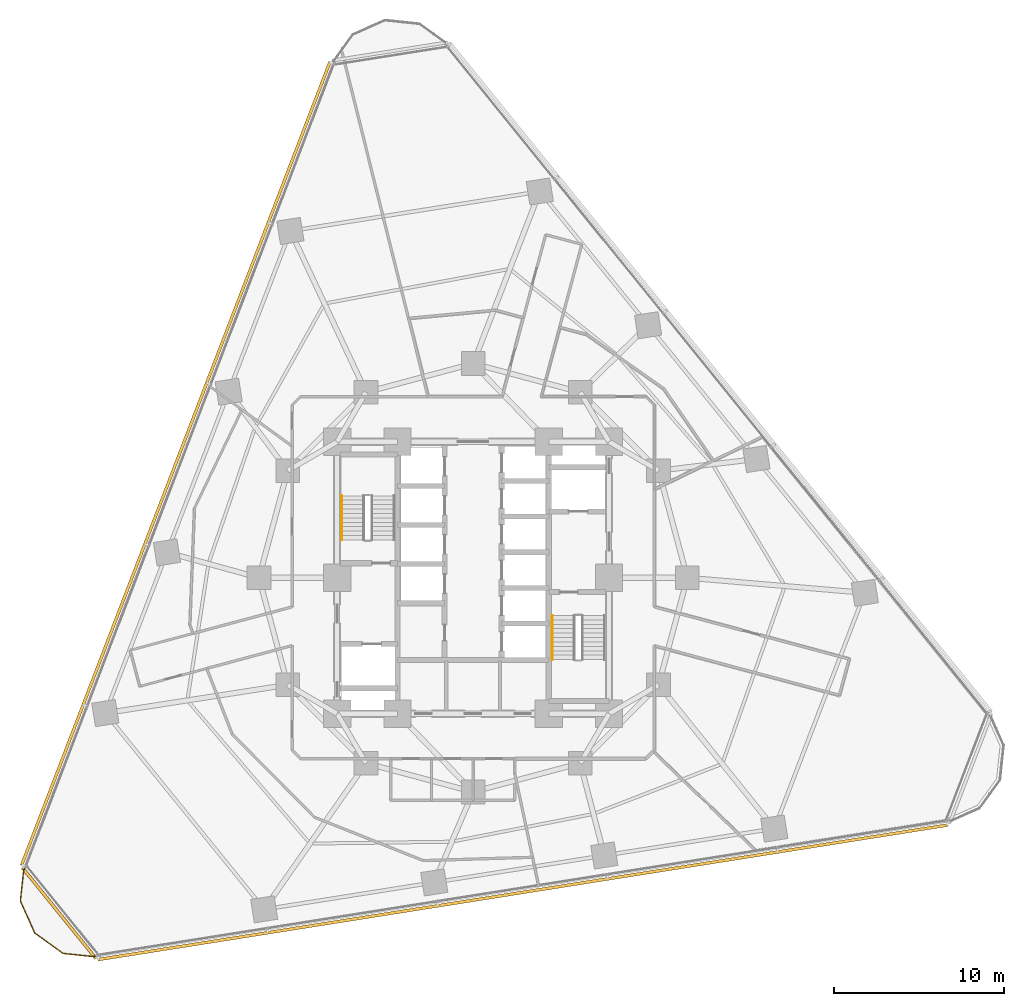
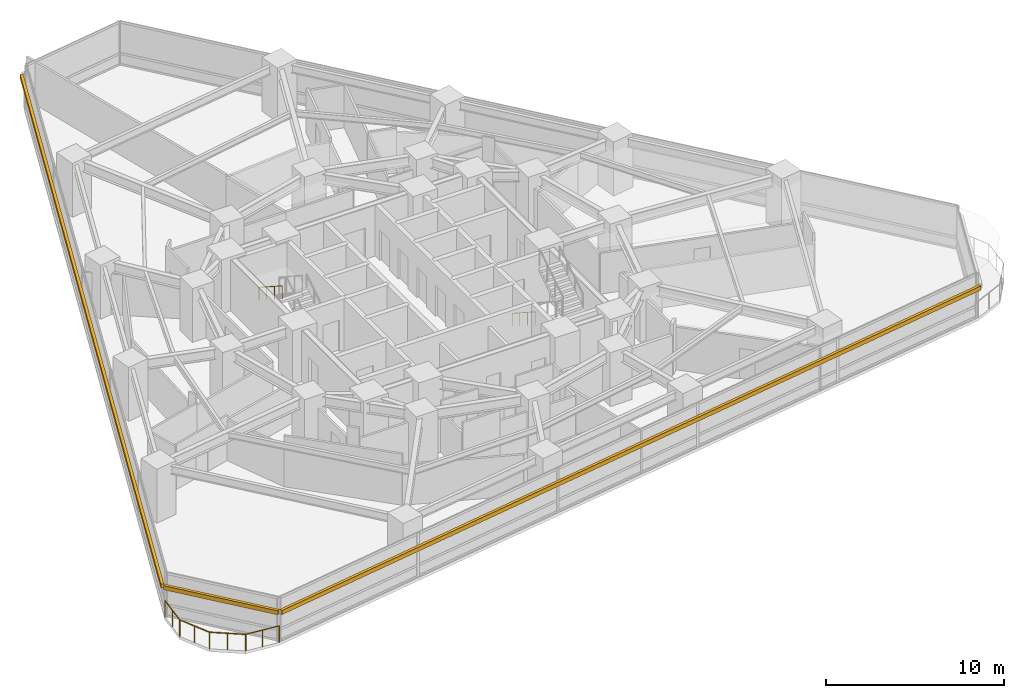
# One storey, part 12 of 14: 3 railings, 3 shading devices.
"""IFC4 building model written with IfcOpenShell, lengths in metres."""

from ifc_helpers import new_model, si_unit, direction, frame, origin, origin_2d, place, context, subcontext, project, spatial, rectangle, circle, extrude, material, layer, layer_set, type_object, element, save


model = new_model("IFC4")

# Units and contexts
model_context = context("Model", 3, precision=1e-05, world=origin(), true_north=direction((0.0, 1.0)))
body_context = subcontext(model_context, "Body", "Model", "MODEL_VIEW")
ifc_project = project(units=[si_unit("LENGTHUNIT", "METRE"), si_unit("AREAUNIT", "SQUARE_METRE"), si_unit("VOLUMEUNIT", "CUBIC_METRE"), si_unit("PLANEANGLEUNIT", "RADIAN"), si_unit("MASSUNIT", "GRAM", prefix="KILO")], contexts=[model_context])

# Site, building, storey
site_placement = place(None, origin())
site = spatial("IfcSite", under=ifc_project, at=site_placement, CompositionType="ELEMENT")
building_placement = place(site_placement, origin())
building = spatial("IfcBuilding", under=site, at=building_placement, Name="Terralouvre Media Tower", CompositionType="ELEMENT")
storey_placement = place(building_placement, frame((0.0, 0.0, 74.10009765625)))
storey = spatial("IfcBuildingStorey", under=building, at=storey_placement, Name="L18", CompositionType="ELEMENT", Elevation=74.10009765625)

# Railings
ifc_material_1 = material(Name="Stainless steel 316 handrail and balustrade", Category="steel")
ifc_layer_1 = layer(ifc_material_1, 0.06005859375, Name="Roof Edge Safety Guardrail GR-ROOF1")
ifc_layer_set_1 = layer_set([ifc_layer_1], Name="Stainless steel 316 handrail and balustrade")
railing_type_1 = type_object("IfcRailingType", Name="Roof Edge Safety Guardrail GR-ROOF1", PredefinedType="GUARDRAIL", material=ifc_layer_set_1)
railing_placement = place(storey_placement, frame((-26.424560546875, -16.965087890625, 0.0)))
element("IfcRailing", 1, at=railing_placement, inside=storey, type_object=railing_type_1, Name="L18 Wind-Corner Perimeter Safety Guardrail C0", PredefinedType="GUARDRAIL", context=body_context, shape_type="SweptSolid", body=[
    extrude(circle(Radius=0.02099609375, at=origin_2d()), frame((0.0, 0.0, 1.12890625), z_axis=(-0.104666273578, -0.994507401267, 0.0), x_axis=(0.994507401267, -0.104666273578, 0.0)), (0.0, 0.0, 1.0), 2.0595703125),
    extrude(circle(Radius=0.02099609375, at=origin_2d()), frame((-0.215576171875, -2.04833984375, 1.12890625), z_axis=(0.406644402356, -0.913586520278, 0.0), x_axis=(0.913586520278, 0.406644402356, 0.0)), (0.0, 0.0, 1.0), 2.059326171875),
    extrude(circle(Radius=0.02099609375, at=origin_2d()), frame((0.621826171875, -3.9296875, 1.12890625), z_axis=(0.809069210714, -0.587713375954, 0.0), x_axis=(0.587713375954, 0.809069210714, 0.0)), (0.0, 0.0, 1.0), 2.05908203125),
    extrude(circle(Radius=0.02099609375, at=origin_2d()), frame((2.287841796875, -5.139892578125, 1.12890625), z_axis=(0.994544355817, -0.104314545068, 0.0), x_axis=(0.104314545068, 0.994544355817, 0.0)), (0.0, 0.0, 1.0), 2.0595703125),
    extrude(circle(Radius=0.01904296875, at=origin_2d()), origin(), (0.0, 0.0, 1.0), 1.10791015625),
    extrude(circle(Radius=0.01904296875, at=origin_2d()), frame((-0.10791015625, -1.024169921875, 0.0)), (0.0, 0.0, 1.0), 1.10791015625),
    extrude(circle(Radius=0.01904296875, at=origin_2d()), frame((-0.215576171875, -2.04833984375, 0.0)), (0.0, 0.0, 1.0), 1.10791015625),
    extrude(circle(Radius=0.01904296875, at=origin_2d()), frame((0.203125, -2.989013671875, 0.0)), (0.0, 0.0, 1.0), 1.10791015625),
    extrude(circle(Radius=0.01904296875, at=origin_2d()), frame((0.621826171875, -3.9296875, 0.0)), (0.0, 0.0, 1.0), 1.10791015625),
    extrude(circle(Radius=0.01904296875, at=origin_2d()), frame((1.454833984375, -4.53466796875, 0.0)), (0.0, 0.0, 1.0), 1.10791015625),
    extrude(circle(Radius=0.01904296875, at=origin_2d()), frame((2.287841796875, -5.139892578125, 0.0)), (0.0, 0.0, 1.0), 1.10791015625),
    extrude(circle(Radius=0.01904296875, at=origin_2d()), frame((3.31201171875, -5.247314453125, 0.0)), (0.0, 0.0, 1.0), 1.10791015625),
    extrude(circle(Radius=0.01904296875, at=origin_2d()), frame((4.336181640625, -5.354736328125, 0.0)), (0.0, 0.0, 1.0), 1.10791015625),
])
ifc_material_2 = material(Name="Stainless steel 316 handrail and balustrade", Category="steel")
ifc_layer_2 = layer(ifc_material_2, 0.050048828125, Name="Stair Flight Wall Handrail HR-INT1")
ifc_layer_set_2 = layer_set([ifc_layer_2], Name="Stainless steel 316 handrail and balustrade")
railing_type_2 = type_object("IfcRailingType", Name="Stair Flight Wall Handrail HR-INT1", PredefinedType="HANDRAIL", material=ifc_layer_set_2)
for number, where, name in (
    (2, (-7.72998046875, 4.820068359375, 2.01806640625), "L18 ST-01 stair handrail 2"),
    (3, (4.64990234375, -2.219970703125, 0.16796875), "L18 ST-02 stair handrail 1"),
):
    element("IfcRailing", number, at=place(storey_placement, frame(where)), inside=storey, type_object=railing_type_2, Name=name, PredefinedType="HANDRAIL", context=body_context, shape_type="SweptSolid", body=[
        extrude(circle(Radius=0.02392578125, at=origin_2d()), frame((0.0, 0.0, 0.8759765625), z_axis=(0.0, -0.839648411786, 0.543130320075), x_axis=(1.0, 0.0, 0.0)), (0.0, 0.0, 1.0), 3.0966796875),
        extrude(circle(Radius=0.02099609375, at=origin_2d()), origin(), (0.0, 0.0, 1.0), 0.851806640625),
        extrude(circle(Radius=0.02099609375, at=origin_2d()), frame((0.0, -0.86669921875, 0.560546875)), (0.0, 0.0, 1.0), 0.851806640625),
        extrude(circle(Radius=0.02099609375, at=origin_2d()), frame((0.0, -1.7333984375, 1.121337890625)), (0.0, 0.0, 1.0), 0.851806640625),
        extrude(circle(Radius=0.02099609375, at=origin_2d()), frame((0.0, -2.60009765625, 1.681884765625)), (0.0, 0.0, 1.0), 0.851806640625),
    ])

# Shading devices
ifc_material_3 = material(Name="Extruded terracotta baguette sunshade louvres", Category="masonry")
shading_device_type = type_object("IfcShadingDeviceType", Name="Terracotta Baguette Sunshade Louvre Screen TB-LV1", PredefinedType="USERDEFINED", material=ifc_material_3)
for number, where, z_axis, x_axis, name in (
    (4, (2.931396484375, -18.5078125, 2.02392578125), (0.0, 0.0, 1.0), (0.987688340934, 0.156434462903, 0.0), "CW-L18-F0 Terracotta Baguette Sunshade Louvre"),
    (5, (-17.493896484375, 6.71533203125, 2.02392578125), (0.0, 0.0, 1.0), (-0.358367917006, -0.933580438988, 0.0), "CW-L18-F2 Terracotta Baguette Sunshade Louvre"),
):
    element("IfcShadingDevice", number, at=place(storey_placement, frame(where, z_axis=z_axis, x_axis=x_axis)), inside=storey, type_object=shading_device_type, Name=name, ObjectType="BAGUETTE", PredefinedType="USERDEFINED", context=body_context, shape_type="SweptSolid", body=[
        extrude(rectangle(XDim=50.639892578125, YDim=0.179931640625, at=origin_2d()), origin(), (0.0, 0.0, 1.0), 0.280029296875),
    ])
shading_device_placement = place(storey_placement, frame((-24.361328125, -19.727294921875, 2.02392578125), z_axis=(0.0, 0.0, 1.0), x_axis=(0.629320031936, -0.777146252262, 0.0)))
element("IfcShadingDevice", 6, at=shading_device_placement, inside=storey, type_object=shading_device_type, Name="CW-L18-C0 Terracotta Baguette Sunshade Louvre", ObjectType="BAGUETTE", PredefinedType="USERDEFINED", context=body_context, shape_type="SweptSolid", body=[
    extrude(rectangle(XDim=6.8935546875, YDim=0.179931640625, at=origin_2d()), origin(), (0.0, 0.0, 1.0), 0.280029296875),
])

save(model, "model.ifc")
